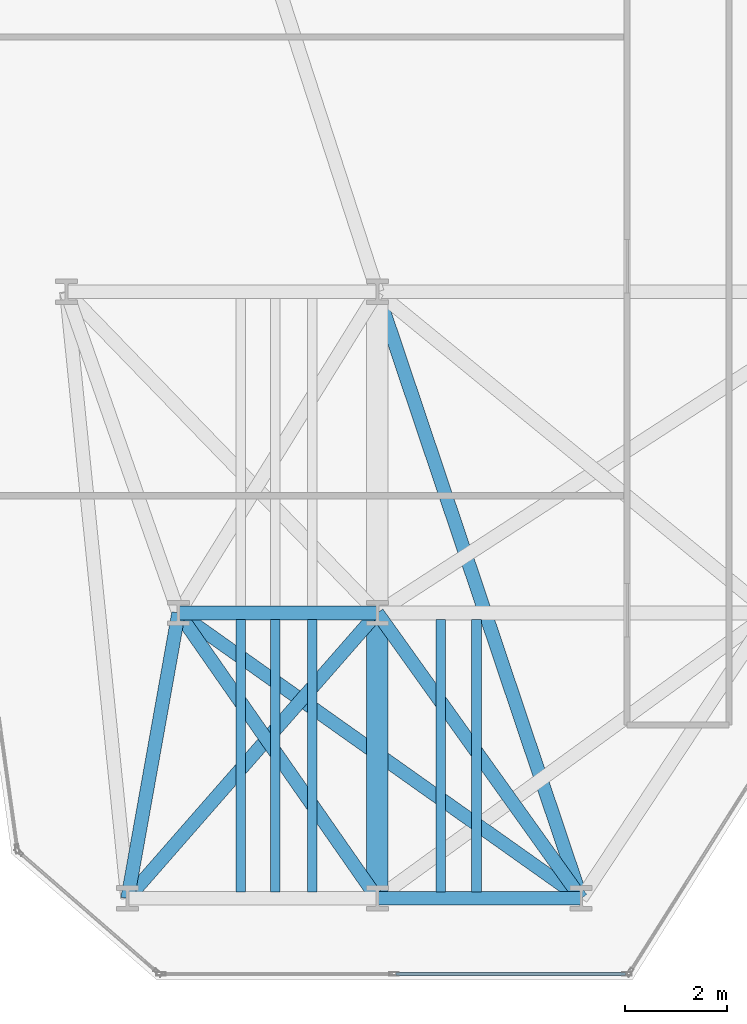
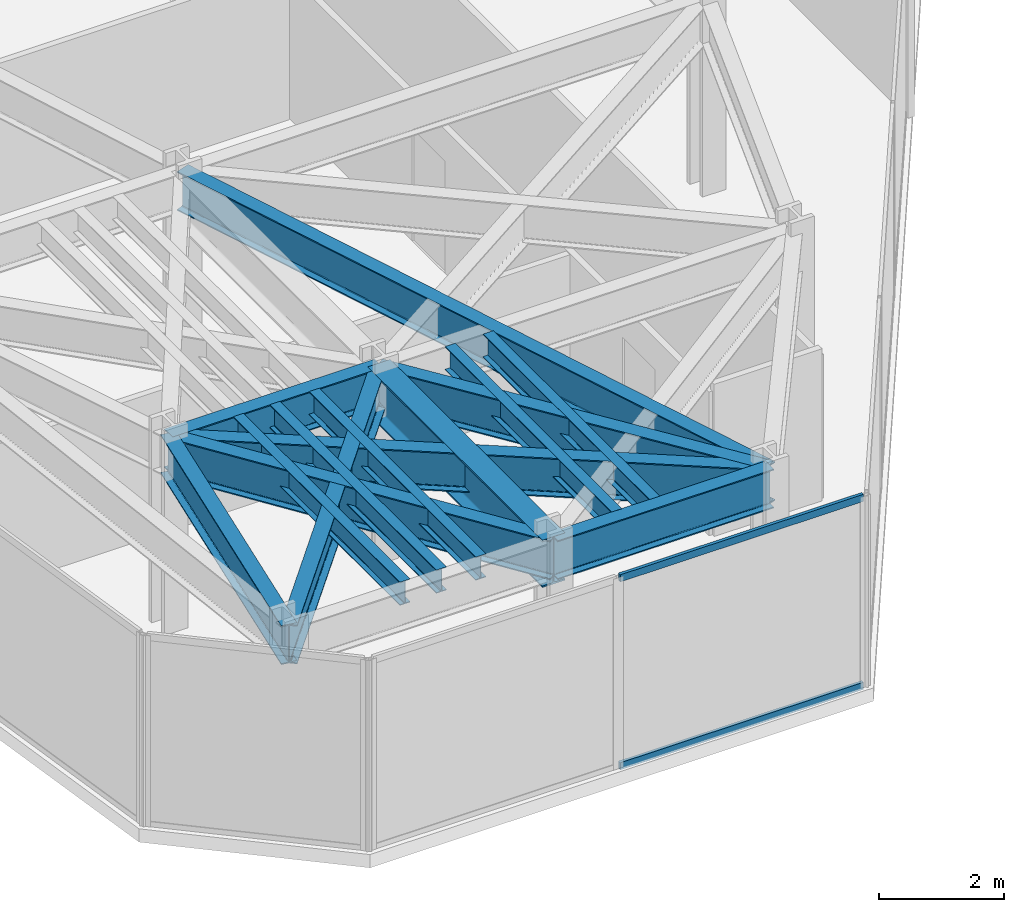
# One storey, part 3 of 24: 14 beams, 2 members, 1 element without a shape of its own.
"""IFC4 building model written with IfcOpenShell, lengths in metres."""

from ifc_helpers import new_model, si_unit, direction, frame, origin, origin_2d, place, context, subcontext, project, spatial, hollow_rectangle, i_section, extrude, material, layer, layer_set, material_profile, profile_set, type_object, element, aggregate, save


model = new_model("IFC4")

# Units and contexts
model_context = context("Model", 3, precision=1e-05, world=origin(), true_north=direction((0.0, 1.0)))
body_context = subcontext(model_context, "Body", "Model", "MODEL_VIEW")
ifc_project = project(units=[si_unit("LENGTHUNIT", "METRE"), si_unit("AREAUNIT", "SQUARE_METRE"), si_unit("VOLUMEUNIT", "CUBIC_METRE"), si_unit("PLANEANGLEUNIT", "RADIAN"), si_unit("MASSUNIT", "GRAM", prefix="KILO")], contexts=[model_context])

# Site, building, storey
site_placement = place(None, origin())
site = spatial("IfcSite", under=ifc_project, at=site_placement, CompositionType="ELEMENT")
building_placement = place(site_placement, origin())
building = spatial("IfcBuilding", under=site, at=building_placement, Name="Kravanh Interchange Tower", CompositionType="ELEMENT")
storey_placement = place(building_placement, frame((0.0, 0.0, 77.5)))
storey = spatial("IfcBuildingStorey", under=building, at=storey_placement, Name="L18", CompositionType="ELEMENT", Elevation=77.5)

# Curtain wall, members
ifc_material_1 = material(Name="Anodised Bronze Aluminium", Category="aluminium")
ifc_layer = layer(ifc_material_1, 0.179931640625)
ifc_layer_set = layer_set([ifc_layer], Name="Unitised Curtain Wall System CW-Z1 Lower Office")
curtain_wall_type = type_object("IfcCurtainWallType", Name="Unitised Curtain Wall System CW-Z1 Lower Office", PredefinedType="NOTDEFINED", material=ifc_layer_set)
curtain_wall_placement = place(storey_placement, origin())
curtain_wall = element("IfcCurtainWall", 1, at=curtain_wall_placement, inside=storey, type_object=curtain_wall_type, Name="L18 Unitised Curtain Wall CW-L18-06", PredefinedType="NOTDEFINED")
ifc_material_2 = material(Name="Anodised Bronze Aluminium", Category="aluminium")
ifc_material_profile_1 = material_profile(ifc_material_2, hollow_rectangle(XDim=0.06005859375, YDim=0.139892578125, WallThickness=0.00390625, at=origin_2d()), Name="ALU60X140X4")
ifc_profile_set_1 = profile_set([ifc_material_profile_1], Name="Anodised Bronze Aluminium")
member_type = type_object("IfcMemberType", Name="Curtain Wall Transom ALU60X140X4 Bronze", PredefinedType="USERDEFINED", material=ifc_profile_set_1)
member_1_placement = place(storey_placement, frame((22.36376953125, 1.1201171875, 0.030029296875), z_axis=(-1.0, 0.0, 0.0), x_axis=(0.0, -1.0, 0.0)))
member_1 = element("IfcMember", 2, at=member_1_placement, type_object=member_type, Name="CW-Z1 transom 1.1", ObjectType="TRANSOM", PredefinedType="USERDEFINED", context=body_context, shape_type="SweptSolid", body=[
    extrude(hollow_rectangle(XDim=0.06005859375, YDim=0.139892578125, WallThickness=0.00390625, at=origin_2d()), origin(), (0.0, 0.0, 1.0), 4.50146484375),
])
member_2_placement = place(storey_placement, frame((22.36376953125, 1.1201171875, 3.7099609375), z_axis=(-1.0, 0.0, 0.0), x_axis=(0.0, -1.0, 0.0)))
member_2 = element("IfcMember", 3, at=member_2_placement, type_object=member_type, Name="CW-Z1 transom 1.2", ObjectType="TRANSOM", PredefinedType="USERDEFINED", context=body_context, shape_type="SweptSolid", body=[
    extrude(hollow_rectangle(XDim=0.06005859375, YDim=0.139892578125, WallThickness=0.00390625, at=origin_2d()), origin(), (0.0, 0.0, 1.0), 4.50146484375),
])
aggregate(curtain_wall, [member_1, member_2])

# Beams
ifc_material_3 = material(Name="Structural Steel S355", Category="steel")
ifc_material_profile_2 = material_profile(ifc_material_3, i_section(OverallWidth=0.41796875, OverallDepth=0.927001953125, WebThickness=0.019287109375, FlangeThickness=0.031982421875, FilletRadius=0.028076171875, at=origin_2d()), Name="W36X231")
ifc_profile_set_2 = profile_set([ifc_material_profile_2], Name="Structural Steel S355")
beam_type_1 = type_object("IfcBeamType", Name="Floor Beam W36X231 Structural Steel S355", PredefinedType="BEAM", material=ifc_profile_set_2)
beam_1_placement = place(storey_placement, frame((17.5, 2.60009765625, 3.276611328125), z_axis=(0.0, 1.0, 0.0), x_axis=(-1.0, 0.0, 0.0)))
element("IfcBeam", 4, at=beam_1_placement, inside=storey, type_object=beam_type_1, Name="L18 Primary Floor Girder 103", PredefinedType="BEAM", context=body_context, shape_type="SweptSolid", body=[
    extrude(i_section(OverallWidth=0.41796875, OverallDepth=0.927001953125, WebThickness=0.019287109375, FlangeThickness=0.031982421875, FilletRadius=0.028076171875, at=origin_2d()), origin(), (0.0, 0.0, 1.0), 5.599853515625),
])
ifc_material_4 = material(Name="Structural Steel S355", Category="steel")
ifc_material_profile_3 = material_profile(ifc_material_4, i_section(OverallWidth=0.18994140625, OverallDepth=0.45703125, WebThickness=0.009033203125, FlangeThickness=0.014404296875, FilletRadius=0.01806640625, at=origin_2d()), Name="W18X50")
ifc_profile_set_3 = profile_set([ifc_material_profile_3], Name="Structural Steel S355")
beam_type_2 = type_object("IfcBeamType", Name="Floor Joist W18X50 Structural Steel S355", PredefinedType="JOIST", material=ifc_profile_set_3)
for number, where, z_axis, x_axis, name in (
    (5, (14.822021484375, 2.728515625, 3.511474609375), (0.0, 1.0, 0.0), (-1.0, 0.0, 0.0), "L18 Secondary Floor Joist 1"),
    (6, (15.498046875, 2.728515625, 3.511474609375), (0.0, 1.0, 0.0), (-1.0, 0.0, 0.0), "L18 Secondary Floor Joist 2"),
    (7, (16.22607421875, 2.728515625, 3.511474609375), (0.0, 1.0, 0.0), (-1.0, 0.0, 0.0), "L18 Secondary Floor Joist 3"),
    (8, (18.743896484375, 2.728515625, 3.511474609375), (0.0, 1.0, 0.0), (-1.0, 0.0, 0.0), "L18 Secondary Floor Joist 4"),
    (9, (19.446044921875, 2.728515625, 3.511474609375), (0.0, 1.0, 0.0), (-1.0, 0.0, 0.0), "L18 Secondary Floor Joist 5"),
):
    element("IfcBeam", number, at=place(storey_placement, frame(where, z_axis=z_axis, x_axis=x_axis)), inside=storey, type_object=beam_type_2, Name=name, PredefinedType="JOIST", context=body_context, shape_type="SweptSolid", body=[
        extrude(i_section(OverallWidth=0.18994140625, OverallDepth=0.45703125, WebThickness=0.009033203125, FlangeThickness=0.014404296875, FilletRadius=0.01806640625, at=origin_2d()), origin(), (0.0, 0.0, 1.0), 5.343017578125),
    ])
ifc_material_5 = material(Name="Structural Steel S355", Category="steel")
ifc_material_profile_4 = material_profile(ifc_material_5, i_section(OverallWidth=0.26708984375, OverallDepth=0.761962890625, WebThickness=0.014404296875, FlangeThickness=0.021484375, FilletRadius=0.02490234375, at=origin_2d()), Name="W30X116")
ifc_profile_set_4 = profile_set([ifc_material_profile_4], Name="Structural Steel S355")
beam_type_3 = type_object("IfcBeamType", Name="Floor Spandrel W30X116 Structural Steel S355", PredefinedType="SPANDREL", material=ifc_profile_set_4)
beam_2_placement = place(storey_placement, frame((12.60009765625, 2.60009765625, 3.35888671875), z_axis=(0.175795094814, 0.984426779725, 0.0), x_axis=(-0.984426779725, 0.175795094814, 0.0)))
element("IfcBeam", 10, at=beam_2_placement, inside=storey, type_object=beam_type_3, Name="L18 Perimeter Spandrel 39", PredefinedType="SPANDREL", context=body_context, shape_type="SweptSolid", body=[
    extrude(i_section(OverallWidth=0.26708984375, OverallDepth=0.761962890625, WebThickness=0.014404296875, FlangeThickness=0.021484375, FilletRadius=0.02490234375, at=origin_2d()), origin(), (0.0, 0.0, 1.0), 5.6884765625),
])
beam_3_placement = place(storey_placement, frame((12.60009765625, 2.60009765625, 3.35888671875), z_axis=(0.658506930733, 0.752574662194, 0.0), x_axis=(-0.752574662194, 0.658506930733, 0.0)))
element("IfcBeam", 11, at=beam_3_placement, inside=storey, type_object=beam_type_3, Name="L18 Perimeter Spandrel 40", PredefinedType="SPANDREL", context=body_context, shape_type="SweptSolid", body=[
    extrude(i_section(OverallWidth=0.26708984375, OverallDepth=0.761962890625, WebThickness=0.014404296875, FlangeThickness=0.021484375, FilletRadius=0.02490234375, at=origin_2d()), origin(), (0.0, 0.0, 1.0), 7.44091796875),
])
beam_4_placement = place(storey_placement, frame((17.5, 2.60009765625, 3.35888671875), z_axis=(1.0, 0.0, 0.0), x_axis=(0.0, 1.0, 0.0)))
element("IfcBeam", 12, at=beam_4_placement, inside=storey, type_object=beam_type_3, Name="L18 Perimeter Spandrel 102", PredefinedType="SPANDREL", context=body_context, shape_type="SweptSolid", body=[
    extrude(i_section(OverallWidth=0.26708984375, OverallDepth=0.761962890625, WebThickness=0.014404296875, FlangeThickness=0.021484375, FilletRadius=0.02490234375, at=origin_2d()), origin(), (0.0, 0.0, 1.0), 4.0),
])
beam_5_placement = place(storey_placement, frame((17.5, 2.60009765625, 3.35888671875), z_axis=(-0.571494183969, 0.820606116045, 0.0), x_axis=(-0.820606116045, -0.571494183969, 0.0)))
element("IfcBeam", 13, at=beam_5_placement, inside=storey, type_object=beam_type_3, Name="L18 Perimeter Spandrel 104", PredefinedType="SPANDREL", context=body_context, shape_type="SweptSolid", body=[
    extrude(i_section(OverallWidth=0.26708984375, OverallDepth=0.761962890625, WebThickness=0.014404296875, FlangeThickness=0.021484375, FilletRadius=0.02490234375, at=origin_2d()), origin(), (0.0, 0.0, 1.0), 6.823974609375),
])
beam_6_placement = place(storey_placement, frame((21.5, 2.60009765625, 3.35888671875), z_axis=(-0.581248261352, 0.813726279946, 0.0), x_axis=(-0.813726279946, -0.581248261352, 0.0)))
element("IfcBeam", 14, at=beam_6_placement, inside=storey, type_object=beam_type_3, Name="L18 Perimeter Spandrel 122", PredefinedType="SPANDREL", context=body_context, shape_type="SweptSolid", body=[
    extrude(i_section(OverallWidth=0.26708984375, OverallDepth=0.761962890625, WebThickness=0.014404296875, FlangeThickness=0.021484375, FilletRadius=0.02490234375, at=origin_2d()), origin(), (0.0, 0.0, 1.0), 6.8818359375),
])
beam_7_placement = place(storey_placement, frame((21.5, 2.60009765625, 3.35888671875), z_axis=(-0.815825239527, 0.578298520274, 0.0), x_axis=(-0.578298520274, -0.815825239527, 0.0)))
element("IfcBeam", 15, at=beam_7_placement, inside=storey, type_object=beam_type_3, Name="L18 Perimeter Spandrel 123", PredefinedType="SPANDREL", context=body_context, shape_type="SweptSolid", body=[
    extrude(i_section(OverallWidth=0.26708984375, OverallDepth=0.761962890625, WebThickness=0.014404296875, FlangeThickness=0.021484375, FilletRadius=0.02490234375, at=origin_2d()), origin(), (0.0, 0.0, 1.0), 9.683349609375),
])
beam_8_placement = place(storey_placement, frame((21.5, 2.60009765625, 3.35888671875), z_axis=(-0.318618734989, 0.947882957814, 0.0), x_axis=(-0.947882957814, -0.318618734989, 0.0)))
element("IfcBeam", 16, at=beam_8_placement, inside=storey, type_object=beam_type_3, Name="L18 Perimeter Spandrel 124", PredefinedType="SPANDREL", context=body_context, shape_type="SweptSolid", body=[
    extrude(i_section(OverallWidth=0.26708984375, OverallDepth=0.761962890625, WebThickness=0.014404296875, FlangeThickness=0.021484375, FilletRadius=0.02490234375, at=origin_2d()), origin(), (0.0, 0.0, 1.0), 12.55419921875),
])
beam_9_placement = place(storey_placement, frame((13.60009765625, 8.199951171875, 3.35888671875), z_axis=(1.0, 0.0, 0.0), x_axis=(0.0, 1.0, 0.0)))
element("IfcBeam", 17, at=beam_9_placement, inside=storey, type_object=beam_type_3, Name="L18 Perimeter Spandrel 133", PredefinedType="SPANDREL", context=body_context, shape_type="SweptSolid", body=[
    extrude(i_section(OverallWidth=0.26708984375, OverallDepth=0.761962890625, WebThickness=0.014404296875, FlangeThickness=0.021484375, FilletRadius=0.02490234375, at=origin_2d()), origin(), (0.0, 0.0, 1.0), 3.89990234375),
])

save(model, "model.ifc")
